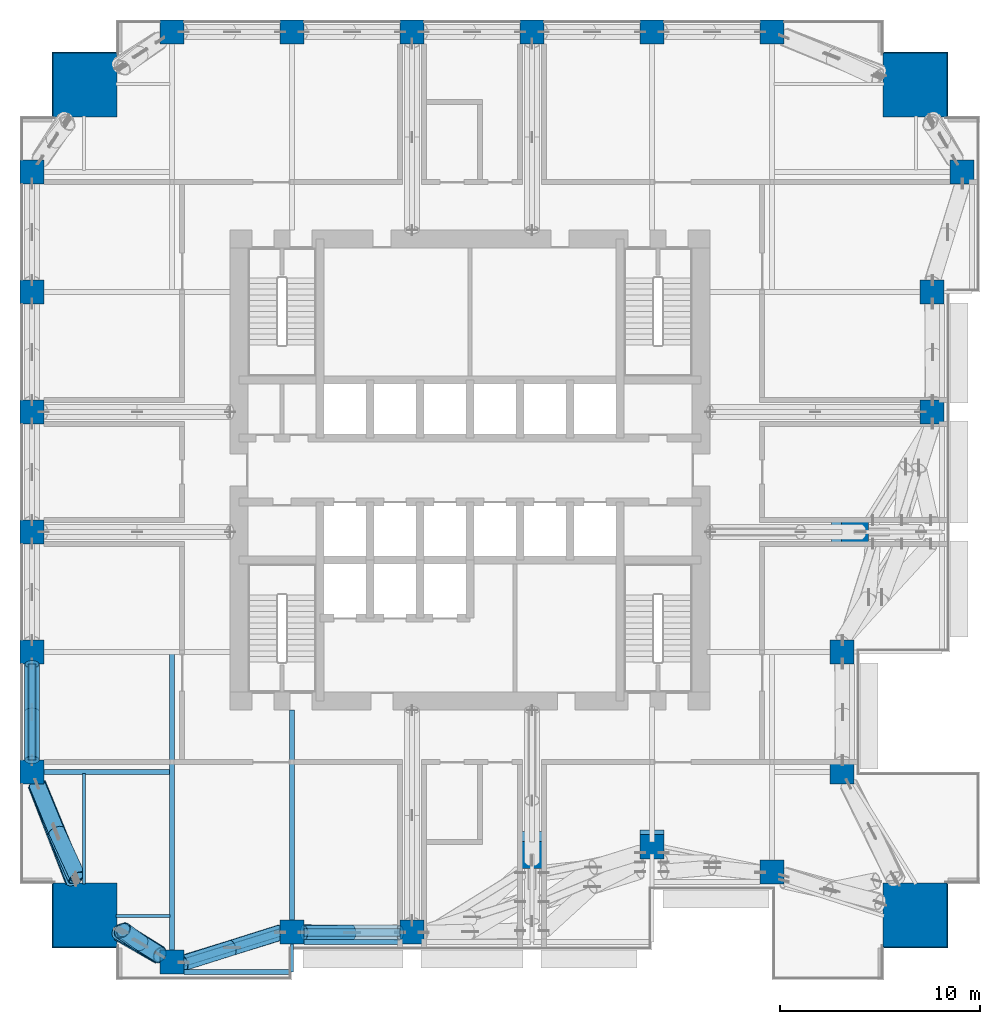
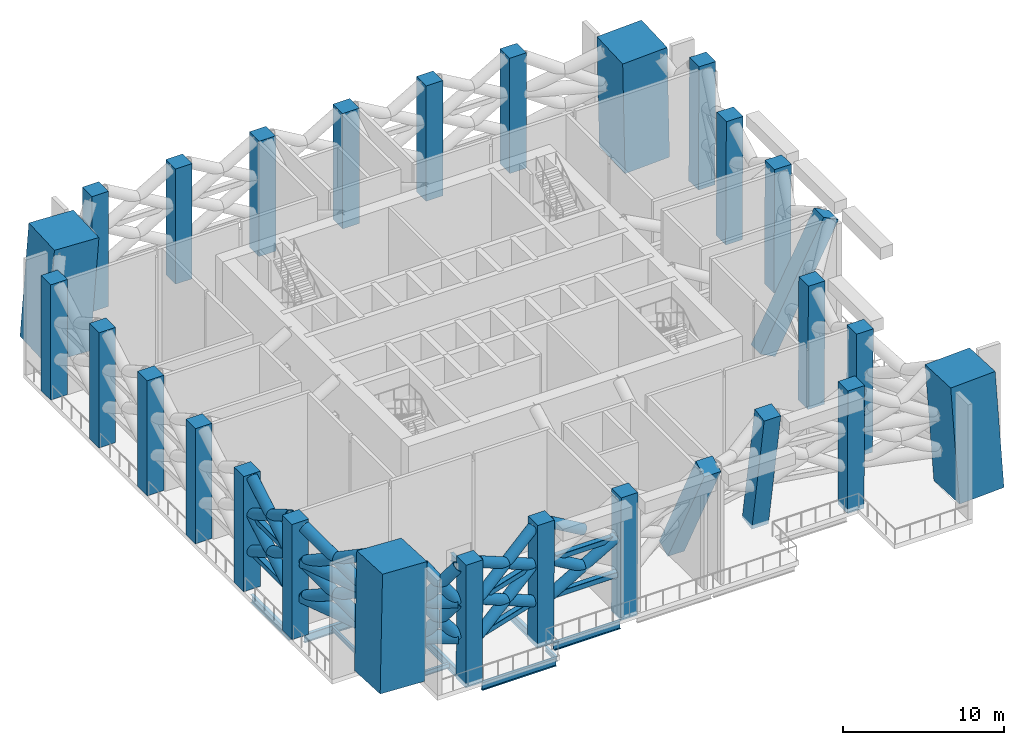
# One storey, part 1 of 18: 28 columns, 27 members, 19 beams.
"""IFC4 building model written with IfcOpenShell, lengths in metres."""

from ifc_helpers import new_model, si_unit, direction, frame, origin, origin_2d, place, context, subcontext, project, spatial, rectangle, hollow_rectangle, hollow_circle, i_section, extrude, material, material_profile, profile_set, type_object, element, save


model = new_model("IFC4")

# Units and contexts
model_context = context("Model", 3, precision=1e-05, world=origin(), true_north=direction((0.0, 1.0)))
body_context = subcontext(model_context, "Body", "Model", "MODEL_VIEW")
ifc_project = project(units=[si_unit("LENGTHUNIT", "METRE"), si_unit("AREAUNIT", "SQUARE_METRE"), si_unit("VOLUMEUNIT", "CUBIC_METRE"), si_unit("PLANEANGLEUNIT", "RADIAN"), si_unit("MASSUNIT", "GRAM", prefix="KILO")], contexts=[model_context])

# Site, building, storey
site_placement = place(None, origin())
site = spatial("IfcSite", under=ifc_project, at=site_placement, CompositionType="ELEMENT")
building_placement = place(site_placement, origin())
building = spatial("IfcBuilding", under=site, at=building_placement, Name="Amberfall Residences", CompositionType="ELEMENT")
storey_placement = place(building_placement, frame((0.0, 0.0, 69.699951171875)))
storey = spatial("IfcBuildingStorey", under=building, at=storey_placement, Name="L19", CompositionType="ELEMENT", Elevation=69.699951171875)

# Columns
ifc_material_1 = material(Name="Concrete C80", Category="concrete")
ifc_material_profile_1 = material_profile(ifc_material_1, rectangle(XDim=1.199951171875, YDim=1.199951171875, at=origin_2d()), Name="Column 1200 x 1200 C80")
ifc_profile_set_1 = profile_set([ifc_material_profile_1], Name="Concrete C80")
column_type_1 = type_object("IfcColumnType", Name="Column 1200 x 1200 C80", PredefinedType="COLUMN", material=ifc_profile_set_1)
for number, where, z_axis, x_axis, name in (
    (1, (59.60009765625, 20.89990234375, -0.3466796875), (0.0, -0.00533033111, 0.999985793684), (1.0, 0.0, 0.0), "Column C1 L19 S1"),
    (2, (65.60009765625, 22.39990234375, -0.3466796875), (0.0, -0.00533033111, 0.999985793684), (1.0, 0.0, 0.0), "Column C1 L19 S2"),
    (3, (71.60009765625, 22.39990234375, -0.3466796875), (0.0, -0.00533033111, 0.999985793684), (1.0, 0.0, 0.0), "Column C1 L19 S3"),
):
    element("IfcColumn", number, at=place(storey_placement, frame(where, z_axis=z_axis, x_axis=x_axis)), inside=storey, type_object=column_type_1, Name=name, PredefinedType="COLUMN", context=body_context, shape_type="SweptSolid", body=[
        extrude(rectangle(XDim=1.199951171875, YDim=1.199951171875, at=origin_2d()), origin(), (0.0, 0.0, 1.0), 9.34375),
    ])
column_1_placement = place(storey_placement, frame((77.60009765625, 26.89990234375, -0.074462890625), z_axis=(0.0, -0.459318316948, 0.888271739794), x_axis=(1.0, 0.0, 0.0)))
element("IfcColumn", 4, at=column_1_placement, inside=storey, type_object=column_type_1, Name="Column C1 L19 S4", PredefinedType="COLUMN", context=body_context, shape_type="SweptSolid", body=[
    extrude(rectangle(XDim=1.199951171875, YDim=1.199951171875, at=origin_2d()), origin(), (0.0, 0.0, 1.0), 9.905517578125),
])
column_2_placement = place(storey_placement, frame((83.60009765625, 26.89990234375, -0.249755859375), z_axis=(0.0, -0.167005067757, 0.985956037227), x_axis=(1.0, 0.0, 0.0)))
element("IfcColumn", 5, at=column_2_placement, inside=storey, type_object=column_type_1, Name="Column C1 L19 S5", PredefinedType="COLUMN", context=body_context, shape_type="SweptSolid", body=[
    extrude(rectangle(XDim=1.199951171875, YDim=1.199951171875, at=origin_2d()), origin(), (0.0, 0.0, 1.0), 9.280029296875),
])
for number, where, z_axis, x_axis, name in (
    (6, (89.60009765625, 25.39990234375, -0.3466796875), (0.0, -0.00533033111, 0.999985793684), (1.0, 0.0, 0.0), "Column C1 L19 S6"),
    (7, (93.10009765625, 30.39990234375, -0.3466796875), (0.00533033111, 0.0, 0.999985793684), (0.0, 1.0, 0.0), "Column C1 L19 E1"),
    (8, (93.10009765625, 36.39990234375, -0.3466796875), (0.00533033111, 0.0, 0.999985793684), (0.0, 1.0, 0.0), "Column C1 L19 E2"),
):
    element("IfcColumn", number, at=place(storey_placement, frame(where, z_axis=z_axis, x_axis=x_axis)), inside=storey, type_object=column_type_1, Name=name, PredefinedType="COLUMN", context=body_context, shape_type="SweptSolid", body=[
        extrude(rectangle(XDim=1.199951171875, YDim=1.199951171875, at=origin_2d()), origin(), (0.0, 0.0, 1.0), 9.34375),
    ])
column_3_placement = place(storey_placement, frame((93.10009765625, 42.39990234375, -0.074462890625), z_axis=(0.459318316948, 0.0, 0.888271739794), x_axis=(0.0, 1.0, 0.0)))
element("IfcColumn", 9, at=column_3_placement, inside=storey, type_object=column_type_1, Name="Column C1 L19 E3", PredefinedType="COLUMN", context=body_context, shape_type="SweptSolid", body=[
    extrude(rectangle(XDim=1.199951171875, YDim=1.199951171875, at=origin_2d()), origin(), (0.0, 0.0, 1.0), 9.905517578125),
])
for number, where, z_axis, x_axis, name in (
    (10, (97.60009765625, 48.39990234375, -0.3466796875), (0.00533033111, 0.0, 0.999985793684), (0.0, 1.0, 0.0), "Column C1 L19 E4"),
    (11, (97.60009765625, 54.39990234375, -0.3466796875), (0.00533033111, 0.0, 0.999985793684), (0.0, 1.0, 0.0), "Column C1 L19 E5"),
    (12, (99.10009765625, 60.39990234375, -0.3466796875), (0.00533033111, 0.0, 0.999985793684), (0.0, 1.0, 0.0), "Column C1 L19 E6"),
):
    element("IfcColumn", number, at=place(storey_placement, frame(where, z_axis=z_axis, x_axis=x_axis)), inside=storey, type_object=column_type_1, Name=name, PredefinedType="COLUMN", context=body_context, shape_type="SweptSolid", body=[
        extrude(rectangle(XDim=1.199951171875, YDim=1.199951171875, at=origin_2d()), origin(), (0.0, 0.0, 1.0), 9.34375),
    ])
for number, where, z_axis, x_axis, name in (
    (13, (59.60009765625, 67.39990234375, 0.0), (0.0, 0.0, 1.0), (1.0, 0.0, 0.0), "Column C1 L19 N1"),
    (14, (65.60009765625, 67.39990234375, 0.0), (0.0, 0.0, 1.0), (1.0, 0.0, 0.0), "Column C1 L19 N2"),
    (15, (71.60009765625, 67.39990234375, 0.0), (0.0, 0.0, 1.0), (1.0, 0.0, 0.0), "Column C1 L19 N3"),
    (16, (77.60009765625, 67.39990234375, 0.0), (0.0, 0.0, 1.0), (1.0, 0.0, 0.0), "Column C1 L19 N4"),
    (17, (83.60009765625, 67.39990234375, 0.0), (0.0, 0.0, 1.0), (1.0, 0.0, 0.0), "Column C1 L19 N5"),
    (18, (89.60009765625, 67.39990234375, 0.0), (0.0, 0.0, 1.0), (1.0, 0.0, 0.0), "Column C1 L19 N6"),
    (19, (52.60009765625, 30.39990234375, 0.0), (0.0, 0.0, 1.0), (1.0, 0.0, 0.0), "Column C1 L19 W1"),
    (20, (52.60009765625, 36.39990234375, 0.0), (0.0, 0.0, 1.0), (1.0, 0.0, 0.0), "Column C1 L19 W2"),
    (21, (52.60009765625, 42.39990234375, 0.0), (0.0, 0.0, 1.0), (1.0, 0.0, 0.0), "Column C1 L19 W3"),
    (22, (52.60009765625, 48.39990234375, 0.0), (0.0, 0.0, 1.0), (1.0, 0.0, 0.0), "Column C1 L19 W4"),
    (23, (52.60009765625, 54.39990234375, 0.0), (0.0, 0.0, 1.0), (1.0, 0.0, 0.0), "Column C1 L19 W5"),
    (24, (52.60009765625, 60.39990234375, 0.0), (0.0, 0.0, 1.0), (1.0, 0.0, 0.0), "Column C1 L19 W6"),
):
    element("IfcColumn", number, at=place(storey_placement, frame(where, z_axis=z_axis, x_axis=x_axis)), inside=storey, type_object=column_type_1, Name=name, PredefinedType="COLUMN", context=body_context, shape_type="SweptSolid", body=[
        extrude(rectangle(XDim=1.199951171875, YDim=1.199951171875, at=origin_2d()), origin(), (0.0, 0.0, 1.0), 8.75),
    ])
ifc_material_profile_2 = material_profile(ifc_material_1, rectangle(XDim=3.199951171875, YDim=3.199951171875, at=origin_2d()), Name="Mega column 3200 x 3200 C80")
ifc_profile_set_2 = profile_set([ifc_material_profile_2], Name="Concrete C80")
column_type_2 = type_object("IfcColumnType", Name="Mega column 3200 x 3200 C80", PredefinedType="COLUMN", material=ifc_profile_set_2)
for number, where, z_axis, x_axis, name in (
    (25, (55.199951171875, 23.199951171875, 0.146728515625), (0.045862513127, 0.045862513127, 0.997894413142), (-0.998947206571, 0.001052793429, 0.045862513127), "Mega column MC1 L19 SW"),
    (26, (96.800048828125, 23.199951171875, 0.146728515625), (-0.045862513127, 0.045862513127, 0.997894413142), (-0.001052793429, -0.998947206571, 0.045862513127), "Mega column MC1 L19 SE"),
    (27, (96.800048828125, 64.800048828125, 0.146728515625), (-0.045862513127, -0.045862513127, 0.997894413142), (0.998947206571, -0.001052793429, 0.045862513127), "Mega column MC1 L19 NE"),
    (28, (55.199951171875, 64.800048828125, 0.146728515625), (0.045862513127, -0.045862513127, 0.997894413142), (0.001052793429, 0.998947206571, 0.045862513127), "Mega column MC1 L19 NW"),
):
    element("IfcColumn", number, at=place(storey_placement, frame(where, z_axis=z_axis, x_axis=x_axis)), inside=storey, type_object=column_type_2, Name=name, PredefinedType="COLUMN", context=body_context, shape_type="SweptSolid", body=[
        extrude(rectangle(XDim=3.199951171875, YDim=3.199951171875, at=origin_2d()), origin(), (0.0, 0.0, 1.0), 8.724853515625),
    ])

# Beams
ifc_material_2 = material(Name="Steel S355", Category="steel")
ifc_material_profile_3 = material_profile(ifc_material_2, hollow_circle(Radius=0.457275390625, WallThickness=0.06005859375, at=origin_2d()), Name="CHS 914.4x60")
ifc_profile_set_3 = profile_set([ifc_material_profile_3], Name="Steel S355")
beam_type_1 = type_object("IfcBeamType", Name="Belt truss chord BT CHS 914.4x60", PredefinedType="BEAM", material=ifc_profile_set_3)
beam_1_placement = place(storey_placement, frame((56.931884765625, 22.412841796875, 3.0), z_axis=(0.867384882683, -0.497637885709, 0.0), x_axis=(0.497637885709, 0.867384882683, 0.0)))
element("IfcBeam", 29, at=beam_1_placement, inside=storey, type_object=beam_type_1, Name="Belt truss chord BT2 L19 SWS", PredefinedType="BEAM", context=body_context, shape_type="SweptSolid", body=[
    extrude(hollow_circle(Radius=0.457275390625, WallThickness=0.06005859375, at=origin_2d()), origin(), (0.0, 0.0, 1.0), 2.38427734375),
])
beam_2_placement = place(storey_placement, frame((57.05322265625, 22.455078125, 5.646484375), z_axis=(0.848703124943, -0.528869554533, 0.0), x_axis=(0.528869554533, 0.848703124943, 0.0)))
element("IfcBeam", 30, at=beam_2_placement, inside=storey, type_object=beam_type_1, Name="Belt truss chord BT2 L19 SWSm", PredefinedType="BEAM", context=body_context, shape_type="SweptSolid", body=[
    extrude(hollow_circle(Radius=0.457275390625, WallThickness=0.06005859375, at=origin_2d()), origin(), (0.0, 0.0, 1.0), 2.2939453125),
])
beam_3_placement = place(storey_placement, frame((54.71240234375, 24.93212890625, 3.0), z_axis=(-0.360370599384, 0.932809214738, 0.0), x_axis=(-0.932809214738, -0.360370599384, 0.0)))
element("IfcBeam", 31, at=beam_3_placement, inside=storey, type_object=beam_type_1, Name="Belt truss chord BT2 L19 SWW", PredefinedType="BEAM", context=body_context, shape_type="SweptSolid", body=[
    extrude(hollow_circle(Radius=0.457275390625, WallThickness=0.06005859375, at=origin_2d()), origin(), (0.0, 0.0, 1.0), 5.218505859375),
])
beam_4_placement = place(storey_placement, frame((54.79541015625, 25.0537109375, 5.646484375), z_axis=(-0.37984978388, 0.92504818344, 0.0), x_axis=(-0.92504818344, -0.37984978388, 0.0)))
element("IfcBeam", 32, at=beam_4_placement, inside=storey, type_object=beam_type_1, Name="Belt truss chord BT2 L19 SWWm", PredefinedType="BEAM", context=body_context, shape_type="SweptSolid", body=[
    extrude(hollow_circle(Radius=0.457275390625, WallThickness=0.06005859375, at=origin_2d()), origin(), (0.0, 0.0, 1.0), 5.130859375),
])
ifc_material_profile_4 = material_profile(ifc_material_2, hollow_rectangle(XDim=0.39990234375, YDim=0.39990234375, WallThickness=0.02001953125, InnerFilletRadius=0.02001953125, OuterFilletRadius=0.030029296875, at=origin_2d()), Name="RHS 400x400x20")
ifc_profile_set_4 = profile_set([ifc_material_profile_4], Name="Steel S355")
beam_type_2 = type_object("IfcBeamType", Name="Belt truss chord BT RHS 400x400x20", PredefinedType="BEAM", material=ifc_profile_set_4)
for number, where, z_axis, x_axis, name in (
    (33, (60.199951171875, 20.882568359375, 2.900146484375), (0.954480841855, 0.298272228898, 0.0), (-0.298272228898, 0.954480841855, 0.0), "Belt truss chord BT3 L19 S1"),
    (34, (60.199951171875, 20.86767578125, 5.699951171875), (0.954480841855, 0.298272228898, 0.0), (-0.298272228898, 0.954480841855, 0.0), "Belt truss chord BT3 L19 S1m"),
):
    element("IfcBeam", number, at=place(storey_placement, frame(where, z_axis=z_axis, x_axis=x_axis)), inside=storey, type_object=beam_type_2, Name=name, PredefinedType="BEAM", context=body_context, shape_type="SweptSolid", body=[
        extrude(hollow_rectangle(XDim=0.39990234375, YDim=0.39990234375, WallThickness=0.02001953125, InnerFilletRadius=0.02001953125, OuterFilletRadius=0.030029296875, at=origin_2d()), origin(), (0.0, 0.0, 1.0), 5.029052734375),
    ])
for number, where, z_axis, x_axis, name in (
    (35, (66.199951171875, 22.382568359375, 2.900146484375), (1.0, 0.0, 0.0), (0.0, 1.0, 0.0), "Belt truss chord BT3 L19 S2"),
    (36, (66.199951171875, 22.36767578125, 5.699951171875), (1.0, 0.0, 0.0), (0.0, 1.0, 0.0), "Belt truss chord BT3 L19 S2m"),
    (37, (52.60009765625, 31.0, 2.900146484375), (0.0, 1.0, 0.0), (-1.0, 0.0, 0.0), "Belt truss chord BT3 L19 W1"),
    (38, (52.60009765625, 31.0, 5.699951171875), (0.0, 1.0, 0.0), (-1.0, 0.0, 0.0), "Belt truss chord BT3 L19 W1m"),
):
    element("IfcBeam", number, at=place(storey_placement, frame(where, z_axis=z_axis, x_axis=x_axis)), inside=storey, type_object=beam_type_2, Name=name, PredefinedType="BEAM", context=body_context, shape_type="SweptSolid", body=[
        extrude(hollow_rectangle(XDim=0.39990234375, YDim=0.39990234375, WallThickness=0.02001953125, InnerFilletRadius=0.02001953125, OuterFilletRadius=0.030029296875, at=origin_2d()), origin(), (0.0, 0.0, 1.0), 4.800048828125),
    ])

# Members
ifc_material_profile_5 = material_profile(ifc_material_2, hollow_circle(Radius=0.381103515625, WallThickness=0.0400390625, at=origin_2d()), Name="CHS 762x40")
ifc_profile_set_5 = profile_set([ifc_material_profile_5], Name="Steel S355")
member_type_1 = type_object("IfcMemberType", Name="Belt truss diagonal BT CHS 762x40", PredefinedType="BRACE", material=ifc_profile_set_5)
member_1_placement = place(storey_placement, frame((60.199951171875, 20.882568359375, 2.900146484375), z_axis=(0.834508215878, 0.258192028746, 0.486757551482), x_axis=(-0.295570760754, 0.955320849447, 0.0)))
element("IfcMember", 39, at=member_1_placement, inside=storey, type_object=member_type_1, Name="Belt truss diagonal BT4 L19 S1d", PredefinedType="BRACE", context=body_context, shape_type="SweptSolid", body=[
    extrude(hollow_circle(Radius=0.381103515625, WallThickness=0.0400390625, at=origin_2d()), origin(), (0.0, 0.0, 1.0), 5.751953125),
])
member_2_placement = place(storey_placement, frame((60.199951171875, 20.86767578125, 5.699951171875), z_axis=(0.833387233475, 0.26304552797, -0.486078974341), x_axis=(-0.300996735167, 0.953625170294, 0.0)))
element("IfcMember", 40, at=member_2_placement, inside=storey, type_object=member_type_1, Name="Belt truss diagonal BT4 L19 S1e", PredefinedType="BRACE", context=body_context, shape_type="SweptSolid", body=[
    extrude(hollow_circle(Radius=0.381103515625, WallThickness=0.0400390625, at=origin_2d()), origin(), (0.0, 0.0, 1.0), 2.8798828125),
])
member_3_placement = place(storey_placement, frame((62.60009765625, 21.625244140625, 4.300048828125), z_axis=(0.833379919136, 0.262985199304, -0.486124156289), x_axis=(-0.300936356864, 0.953644225651, 0.0)))
element("IfcMember", 41, at=member_3_placement, inside=storey, type_object=member_type_1, Name="Belt truss diagonal BT4 L19 S1e2", PredefinedType="BRACE", context=body_context, shape_type="SweptSolid", body=[
    extrude(hollow_circle(Radius=0.381103515625, WallThickness=0.0400390625, at=origin_2d()), origin(), (0.0, 0.0, 1.0), 2.879638671875),
])
member_4_placement = place(storey_placement, frame((60.199951171875, 20.86767578125, 5.699951171875), z_axis=(0.834500118569, 0.258147079047, 0.486795272869), x_axis=(-0.295526415053, 0.955334568623, 0.0)))
element("IfcMember", 42, at=member_4_placement, inside=storey, type_object=member_type_1, Name="Belt truss diagonal BT4 L19 S1du", PredefinedType="BRACE", context=body_context, shape_type="SweptSolid", body=[
    extrude(hollow_circle(Radius=0.381103515625, WallThickness=0.0400390625, at=origin_2d()), origin(), (0.0, 0.0, 1.0), 5.751953125),
])
for number, where, z_axis, x_axis, name in (
    (43, (60.199951171875, 20.8525390625, 8.5), (0.833387233475, 0.26304552797, -0.486078974341), (-0.300996735167, 0.953625170294, 0.0), "Belt truss diagonal BT4 L19 S1eu"),
    (44, (62.60009765625, 21.610107421875, 7.10009765625), (0.833326991129, 0.263053270954, -0.486178056371), (-0.301024580837, 0.953616380801, 0.0), "Belt truss diagonal BT4 L19 S1e2u"),
):
    element("IfcMember", number, at=place(storey_placement, frame(where, z_axis=z_axis, x_axis=x_axis)), inside=storey, type_object=member_type_1, Name=name, PredefinedType="BRACE", context=body_context, shape_type="SweptSolid", body=[
        extrude(hollow_circle(Radius=0.381103515625, WallThickness=0.0400390625, at=origin_2d()), origin(), (0.0, 0.0, 1.0), 2.8798828125),
    ])
member_5_placement = place(storey_placement, frame((66.199951171875, 22.382568359375, 2.900146484375), z_axis=(0.863793326591, -0.002679995571, 0.503839167354), x_axis=(0.003102573949, 0.999995187006, 0.0)))
element("IfcMember", 45, at=member_5_placement, inside=storey, type_object=member_type_1, Name="Belt truss diagonal BT4 L19 S2d", PredefinedType="BRACE", context=body_context, shape_type="SweptSolid", body=[
    extrude(hollow_circle(Radius=0.381103515625, WallThickness=0.0400390625, at=origin_2d()), origin(), (0.0, 0.0, 1.0), 5.556884765625),
])
for number, where, z_axis, x_axis, name in (
    (46, (66.199951171875, 22.36767578125, 5.699951171875), (0.863804376646, 0.002723826231, -0.503819987355), (-0.003153274934, 0.999995028416, 0.0), "Belt truss diagonal BT4 L19 S2e"),
    (47, (66.199951171875, 22.3525390625, 8.5), (0.863804376646, 0.002723826231, -0.503819987355), (-0.003153274934, 0.999995028416, 0.0), "Belt truss diagonal BT4 L19 S2eu"),
):
    element("IfcMember", number, at=place(storey_placement, frame(where, z_axis=z_axis, x_axis=x_axis)), inside=storey, type_object=member_type_1, Name=name, PredefinedType="BRACE", context=body_context, shape_type="SweptSolid", body=[
        extrude(hollow_circle(Radius=0.381103515625, WallThickness=0.0400390625, at=origin_2d()), origin(), (0.0, 0.0, 1.0), 2.778564453125),
    ])
member_6_placement = place(storey_placement, frame((52.60009765625, 31.0, 2.900146484375), z_axis=(0.0, 0.863796428652, 0.503840976745), x_axis=(-1.0, 0.0, 0.0)))
element("IfcMember", 48, at=member_6_placement, inside=storey, type_object=member_type_1, Name="Belt truss diagonal BT4 L19 W1d", PredefinedType="BRACE", context=body_context, shape_type="SweptSolid", body=[
    extrude(hollow_circle(Radius=0.381103515625, WallThickness=0.0400390625, at=origin_2d()), origin(), (0.0, 0.0, 1.0), 5.556884765625),
])
member_7_placement = place(storey_placement, frame((52.60009765625, 31.0, 5.699951171875), z_axis=(0.0, 0.86378527499, -0.503860098351), x_axis=(-1.0, 0.0, 0.0)))
element("IfcMember", 49, at=member_7_placement, inside=storey, type_object=member_type_1, Name="Belt truss diagonal BT4 L19 W1e", PredefinedType="BRACE", context=body_context, shape_type="SweptSolid", body=[
    extrude(hollow_circle(Radius=0.381103515625, WallThickness=0.0400390625, at=origin_2d()), origin(), (0.0, 0.0, 1.0), 2.7783203125),
])
member_8_placement = place(storey_placement, frame((52.60009765625, 33.39990234375, 4.300048828125), z_axis=(0.0, 0.863807581045, -0.503821856343), x_axis=(-1.0, 0.0, 0.0)))
element("IfcMember", 50, at=member_8_placement, inside=storey, type_object=member_type_1, Name="Belt truss diagonal BT4 L19 W1e2", PredefinedType="BRACE", context=body_context, shape_type="SweptSolid", body=[
    extrude(hollow_circle(Radius=0.381103515625, WallThickness=0.0400390625, at=origin_2d()), origin(), (0.0, 0.0, 1.0), 2.778564453125),
])
member_9_placement = place(storey_placement, frame((52.60009765625, 31.0, 5.699951171875), z_axis=(0.0, 0.86377730745, 0.503873757141), x_axis=(-1.0, 0.0, 0.0)))
element("IfcMember", 51, at=member_9_placement, inside=storey, type_object=member_type_1, Name="Belt truss diagonal BT4 L19 W1du", PredefinedType="BRACE", context=body_context, shape_type="SweptSolid", body=[
    extrude(hollow_circle(Radius=0.381103515625, WallThickness=0.0400390625, at=origin_2d()), origin(), (0.0, 0.0, 1.0), 5.55712890625),
])
member_10_placement = place(storey_placement, frame((52.60009765625, 31.0, 8.5), z_axis=(0.0, 0.86378527499, -0.503860098351), x_axis=(-1.0, 0.0, 0.0)))
element("IfcMember", 52, at=member_10_placement, inside=storey, type_object=member_type_1, Name="Belt truss diagonal BT4 L19 W1eu", PredefinedType="BRACE", context=body_context, shape_type="SweptSolid", body=[
    extrude(hollow_circle(Radius=0.381103515625, WallThickness=0.0400390625, at=origin_2d()), origin(), (0.0, 0.0, 1.0), 2.7783203125),
])
member_11_placement = place(storey_placement, frame((52.60009765625, 33.39990234375, 7.10009765625), z_axis=(0.0, 0.863769340651, -0.503887414163), x_axis=(-1.0, 0.0, 0.0)))
element("IfcMember", 53, at=member_11_placement, inside=storey, type_object=member_type_1, Name="Belt truss diagonal BT4 L19 W1e2u", PredefinedType="BRACE", context=body_context, shape_type="SweptSolid", body=[
    extrude(hollow_circle(Radius=0.381103515625, WallThickness=0.0400390625, at=origin_2d()), origin(), (0.0, 0.0, 1.0), 2.77880859375),
])
ifc_material_profile_6 = material_profile(ifc_material_2, hollow_circle(Radius=0.406494140625, WallThickness=0.050048828125, at=origin_2d()), Name="CHS 813x50")
ifc_profile_set_6 = profile_set([ifc_material_profile_6], Name="Steel S355")
member_type_2 = type_object("IfcMemberType", Name="Belt truss diagonal BT CHS 813x50", PredefinedType="BRACE", material=ifc_profile_set_6)
member_12_placement = place(storey_placement, frame((56.931884765625, 22.412841796875, 3.0), z_axis=(0.581427311909, -0.329184911807, 0.744029283567), x_axis=(0.492683357906, 0.870208658221, 0.0)))
element("IfcMember", 54, at=member_12_placement, inside=storey, type_object=member_type_2, Name="Belt truss diagonal BT5 L19 SWSd", PredefinedType="BRACE", context=body_context, shape_type="SweptSolid", body=[
    extrude(hollow_circle(Radius=0.406494140625, WallThickness=0.050048828125, at=origin_2d()), origin(), (0.0, 0.0, 1.0), 3.556884765625),
])
member_13_placement = place(storey_placement, frame((57.05322265625, 22.455078125, 5.646484375), z_axis=(0.542198151826, -0.371395803632, -0.753715013252), x_axis=(0.565117183588, 0.825010647697, 0.0)))
element("IfcMember", 55, at=member_13_placement, inside=storey, type_object=member_type_2, Name="Belt truss diagonal BT5 L19 SWSe", PredefinedType="BRACE", context=body_context, shape_type="SweptSolid", body=[
    extrude(hollow_circle(Radius=0.406494140625, WallThickness=0.050048828125, at=origin_2d()), origin(), (0.0, 0.0, 1.0), 1.720947265625),
])
member_14_placement = place(storey_placement, frame((57.986328125, 21.81591796875, 4.349365234375), z_axis=(0.56701918694, -0.329805235178, -0.754796494753), x_axis=(0.502783282412, 0.864412500446, 0.0)))
element("IfcMember", 56, at=member_14_placement, inside=storey, type_object=member_type_2, Name="Belt truss diagonal BT5 L19 SWSe2", PredefinedType="BRACE", context=body_context, shape_type="SweptSolid", body=[
    extrude(hollow_circle(Radius=0.406494140625, WallThickness=0.050048828125, at=origin_2d()), origin(), (0.0, 0.0, 1.0), 1.787841796875),
])
member_15_placement = place(storey_placement, frame((57.05322265625, 22.455078125, 5.646484375), z_axis=(0.556792156714, -0.342147174304, 0.756913340705), x_axis=(0.523548867796, 0.851995647307, 0.0)))
element("IfcMember", 57, at=member_15_placement, inside=storey, type_object=member_type_2, Name="Belt truss diagonal BT5 L19 SWSdu", PredefinedType="BRACE", context=body_context, shape_type="SweptSolid", body=[
    extrude(hollow_circle(Radius=0.406494140625, WallThickness=0.050048828125, at=origin_2d()), origin(), (0.0, 0.0, 1.0), 3.496337890625),
])
member_16_placement = place(storey_placement, frame((57.1728515625, 22.4921875, 8.29296875), z_axis=(0.516243003396, -0.382493069313, -0.766284681676), x_axis=(0.595318844234, 0.803489560418, 0.0)))
element("IfcMember", 58, at=member_16_placement, inside=storey, type_object=member_type_2, Name="Belt truss diagonal BT5 L19 SWSeu", PredefinedType="BRACE", context=body_context, shape_type="SweptSolid", body=[
    extrude(hollow_circle(Radius=0.406494140625, WallThickness=0.050048828125, at=origin_2d()), origin(), (0.0, 0.0, 1.0), 1.692138671875),
])
member_17_placement = place(storey_placement, frame((58.04638671875, 21.844970703125, 6.996337890625), z_axis=(0.542042337867, -0.342766148114, -0.767268839239), x_axis=(0.534465093573, 0.845190548783, 0.0)))
element("IfcMember", 59, at=member_17_placement, inside=storey, type_object=member_type_2, Name="Belt truss diagonal BT5 L19 SWSe2u", PredefinedType="BRACE", context=body_context, shape_type="SweptSolid", body=[
    extrude(hollow_circle(Radius=0.406494140625, WallThickness=0.050048828125, at=origin_2d()), origin(), (0.0, 0.0, 1.0), 1.75927734375),
])
member_18_placement = place(storey_placement, frame((54.71240234375, 24.93212890625, 3.0), z_axis=(-0.319155927803, 0.83261154579, 0.452656058797), x_axis=(-0.933750551881, -0.357924442952, 0.0)))
element("IfcMember", 60, at=member_18_placement, inside=storey, type_object=member_type_2, Name="Belt truss diagonal BT5 L19 SWWd", PredefinedType="BRACE", context=body_context, shape_type="SweptSolid", body=[
    extrude(hollow_circle(Radius=0.406494140625, WallThickness=0.050048828125, at=origin_2d()), origin(), (0.0, 0.0, 1.0), 5.8466796875),
])
member_19_placement = place(storey_placement, frame((54.79541015625, 25.0537109375, 5.646484375), z_axis=(-0.357359775377, 0.81427950724, -0.457430732495), x_axis=(-0.915697330884, -0.401868633029, 0.0)))
element("IfcMember", 61, at=member_19_placement, inside=storey, type_object=member_type_2, Name="Belt truss diagonal BT5 L19 SWWe", PredefinedType="BRACE", context=body_context, shape_type="SweptSolid", body=[
    extrude(hollow_circle(Radius=0.406494140625, WallThickness=0.050048828125, at=origin_2d()), origin(), (0.0, 0.0, 1.0), 2.86669921875),
])
member_20_placement = place(storey_placement, frame((53.77099609375, 27.387939453125, 4.335205078125), z_axis=(-0.322465655647, 0.82816757936, -0.45842596068), x_axis=(-0.931852367203, -0.362837657553, 0.0)))
element("IfcMember", 62, at=member_20_placement, inside=storey, type_object=member_type_2, Name="Belt truss diagonal BT5 L19 SWWe2", PredefinedType="BRACE", context=body_context, shape_type="SweptSolid", body=[
    extrude(hollow_circle(Radius=0.406494140625, WallThickness=0.050048828125, at=origin_2d()), origin(), (0.0, 0.0, 1.0), 2.91259765625),
])
member_21_placement = place(storey_placement, frame((54.79541015625, 25.0537109375, 5.646484375), z_axis=(-0.335337627883, 0.822832112037, 0.458798420579), x_axis=(-0.926049203071, -0.377402800058, 0.0)))
element("IfcMember", 63, at=member_21_placement, inside=storey, type_object=member_type_2, Name="Belt truss diagonal BT5 L19 SWWdu", PredefinedType="BRACE", context=body_context, shape_type="SweptSolid", body=[
    extrude(hollow_circle(Radius=0.406494140625, WallThickness=0.050048828125, at=origin_2d()), origin(), (0.0, 0.0, 1.0), 5.768310546875),
])
member_22_placement = place(storey_placement, frame((54.875244140625, 25.173095703125, 8.29296875), z_axis=(-0.372959114354, 0.80380755689, -0.463459718323), x_axis=(-0.907111205672, -0.420891031675, 0.0)))
element("IfcMember", 64, at=member_22_placement, inside=storey, type_object=member_type_2, Name="Belt truss diagonal BT5 L19 SWWeu", PredefinedType="BRACE", context=body_context, shape_type="SweptSolid", body=[
    extrude(hollow_circle(Radius=0.406494140625, WallThickness=0.050048828125, at=origin_2d()), origin(), (0.0, 0.0, 1.0), 2.829833984375),
])
member_23_placement = place(storey_placement, frame((53.81982421875, 27.44775390625, 6.9814453125), z_axis=(-0.338625845232, 0.818324559522, -0.464410865746), x_axis=(-0.924013327345, -0.38236026322, 0.0)))
element("IfcMember", 65, at=member_23_placement, inside=storey, type_object=member_type_2, Name="Belt truss diagonal BT5 L19 SWWe2u", PredefinedType="BRACE", context=body_context, shape_type="SweptSolid", body=[
    extrude(hollow_circle(Radius=0.406494140625, WallThickness=0.050048828125, at=origin_2d()), origin(), (0.0, 0.0, 1.0), 2.87451171875),
])

# Beams
ifc_material_profile_7 = material_profile(ifc_material_2, i_section(OverallWidth=0.171142578125, OverallDepth=0.351318359375, WebThickness=0.007080078125, FlangeThickness=0.009765625, FilletRadius=0.01025390625, at=origin_2d()), Name="UB 356x171x45")
ifc_profile_set_7 = profile_set([ifc_material_profile_7], Name="Steel S355")
beam_type_3 = type_object("IfcBeamType", Name="Cantilever girder UB 356x171x45", PredefinedType="BEAM", material=ifc_profile_set_7)
beam_5_placement = place(storey_placement, frame((65.60009765625, 21.800048828125, -0.525634765625), z_axis=(0.0, -1.0, 0.0), x_axis=(1.0, 0.0, 0.0)))
element("IfcBeam", 66, at=beam_5_placement, inside=storey, type_object=beam_type_3, Name="Cantilever girder B8 L19 06", PredefinedType="BEAM", context=body_context, shape_type="SweptSolid", body=[
    extrude(i_section(OverallWidth=0.171142578125, OverallDepth=0.351318359375, WebThickness=0.007080078125, FlangeThickness=0.009765625, FilletRadius=0.01025390625, at=origin_2d()), origin(), (0.0, 0.0, 1.0), 1.400146484375),
])
ifc_material_profile_8 = material_profile(ifc_material_2, i_section(OverallWidth=0.228271484375, OverallDepth=0.607666015625, WebThickness=0.010986328125, FlangeThickness=0.017333984375, FilletRadius=0.0126953125, at=origin_2d()), Name="UB 610x229x113")
ifc_profile_set_8 = profile_set([ifc_material_profile_8], Name="Steel S355")
beam_type_4 = type_object("IfcBeamType", Name="Edge beam UB 610x229x113", PredefinedType="SPANDREL", material=ifc_profile_set_8)
beam_6_placement = place(storey_placement, frame((60.199951171875, 20.39990234375, -0.65380859375), z_axis=(1.0, 0.0, 0.0), x_axis=(0.0, 1.0, 0.0)))
element("IfcBeam", 67, at=beam_6_placement, inside=storey, type_object=beam_type_4, Name="Edge beam B12 L19 01", PredefinedType="SPANDREL", context=body_context, shape_type="SweptSolid", body=[
    extrude(i_section(OverallWidth=0.228271484375, OverallDepth=0.607666015625, WebThickness=0.010986328125, FlangeThickness=0.017333984375, FilletRadius=0.0126953125, at=origin_2d()), origin(), (0.0, 0.0, 1.0), 5.320068359375),
])
for number, where, z_axis, x_axis, name in (
    (68, (66.199951171875, 21.89990234375, -0.65380859375), (1.0, 0.0, 0.0), (0.0, 1.0, 0.0), "Edge beam B12 L19 02"),
    (69, (52.60009765625, 31.0, -0.65380859375), (0.0, 1.0, 0.0), (-1.0, 0.0, 0.0), "Edge beam B12 L19 40"),
):
    element("IfcBeam", number, at=place(storey_placement, frame(where, z_axis=z_axis, x_axis=x_axis)), inside=storey, type_object=beam_type_4, Name=name, PredefinedType="SPANDREL", context=body_context, shape_type="SweptSolid", body=[
        extrude(i_section(OverallWidth=0.228271484375, OverallDepth=0.607666015625, WebThickness=0.010986328125, FlangeThickness=0.017333984375, FilletRadius=0.0126953125, at=origin_2d()), origin(), (0.0, 0.0, 1.0), 4.800048828125),
    ])
ifc_material_profile_9 = material_profile(ifc_material_2, i_section(OverallWidth=0.230224609375, OverallDepth=0.6171875, WebThickness=0.01318359375, FlangeThickness=0.022216796875, FilletRadius=0.0126953125, at=origin_2d()), Name="UB 610x229x140")
ifc_profile_set_9 = profile_set([ifc_material_profile_9], Name="Steel S355")
beam_type_5 = type_object("IfcBeamType", Name="Floor girder UB 610x229x140", PredefinedType="BEAM", material=ifc_profile_set_9)
beam_7_placement = place(storey_placement, frame((59.60009765625, 21.5, -0.658447265625), z_axis=(0.0, 1.0, 0.0), x_axis=(-1.0, 0.0, 0.0)))
element("IfcBeam", 70, at=beam_7_placement, inside=storey, type_object=beam_type_5, Name="Floor girder B13 L19 09", PredefinedType="BEAM", context=body_context, shape_type="SweptSolid", body=[
    extrude(i_section(OverallWidth=0.230224609375, OverallDepth=0.6171875, WebThickness=0.01318359375, FlangeThickness=0.022216796875, FilletRadius=0.0126953125, at=origin_2d()), origin(), (0.0, 0.0, 1.0), 14.789794921875),
])
beam_8_placement = place(storey_placement, frame((65.60009765625, 23.0, -0.658447265625), z_axis=(0.0, 1.0, 0.0), x_axis=(-1.0, 0.0, 0.0)))
element("IfcBeam", 71, at=beam_8_placement, inside=storey, type_object=beam_type_5, Name="Floor girder B13 L19 10", PredefinedType="BEAM", context=body_context, shape_type="SweptSolid", body=[
    extrude(i_section(OverallWidth=0.230224609375, OverallDepth=0.6171875, WebThickness=0.01318359375, FlangeThickness=0.022216796875, FilletRadius=0.0126953125, at=origin_2d()), origin(), (0.0, 0.0, 1.0), 10.5),
])
beam_9_placement = place(storey_placement, frame((53.199951171875, 30.39990234375, -0.658447265625), z_axis=(1.0, 0.0, 0.0), x_axis=(0.0, 1.0, 0.0)))
element("IfcBeam", 72, at=beam_9_placement, inside=storey, type_object=beam_type_5, Name="Floor girder B13 L19 45", PredefinedType="BEAM", context=body_context, shape_type="SweptSolid", body=[
    extrude(i_section(OverallWidth=0.230224609375, OverallDepth=0.6171875, WebThickness=0.01318359375, FlangeThickness=0.022216796875, FilletRadius=0.0126953125, at=origin_2d()), origin(), (0.0, 0.0, 1.0), 6.280029296875),
])
ifc_material_profile_10 = material_profile(ifc_material_2, i_section(OverallWidth=0.171142578125, OverallDepth=0.351318359375, WebThickness=0.007080078125, FlangeThickness=0.009765625, FilletRadius=0.01025390625, at=origin_2d()), Name="UB 356x171x45")
ifc_profile_set_10 = profile_set([ifc_material_profile_10], Name="Steel S355")
beam_type_6 = type_object("IfcBeamType", Name="Link beam UB 356x171x45", PredefinedType="BEAM", material=ifc_profile_set_10)
beam_10_placement = place(storey_placement, frame((56.800048828125, 23.199951171875, -0.525634765625), z_axis=(1.0, 0.0, 0.0), x_axis=(0.0, 1.0, 0.0)))
element("IfcBeam", 73, at=beam_10_placement, inside=storey, type_object=beam_type_6, Name="Link beam B7 L19 51", PredefinedType="BEAM", context=body_context, shape_type="SweptSolid", body=[
    extrude(i_section(OverallWidth=0.171142578125, OverallDepth=0.351318359375, WebThickness=0.007080078125, FlangeThickness=0.009765625, FilletRadius=0.01025390625, at=origin_2d()), origin(), (0.0, 0.0, 1.0), 2.70458984375),
])
beam_11_placement = place(storey_placement, frame((55.199951171875, 24.800048828125, -0.525634765625), z_axis=(0.0, 1.0, 0.0), x_axis=(-1.0, 0.0, 0.0)))
element("IfcBeam", 74, at=beam_11_placement, inside=storey, type_object=beam_type_6, Name="Link beam B7 L19 52", PredefinedType="BEAM", context=body_context, shape_type="SweptSolid", body=[
    extrude(i_section(OverallWidth=0.171142578125, OverallDepth=0.351318359375, WebThickness=0.007080078125, FlangeThickness=0.009765625, FilletRadius=0.01025390625, at=origin_2d()), origin(), (0.0, 0.0, 1.0), 5.521240234375),
])

save(model, "model.ifc")
